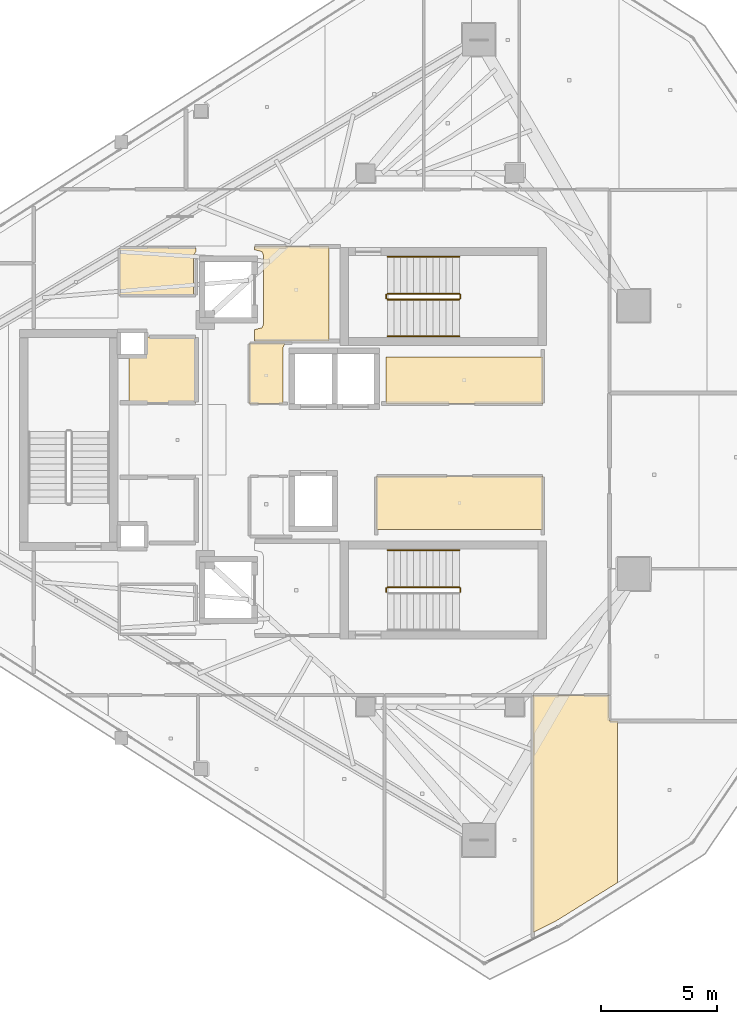
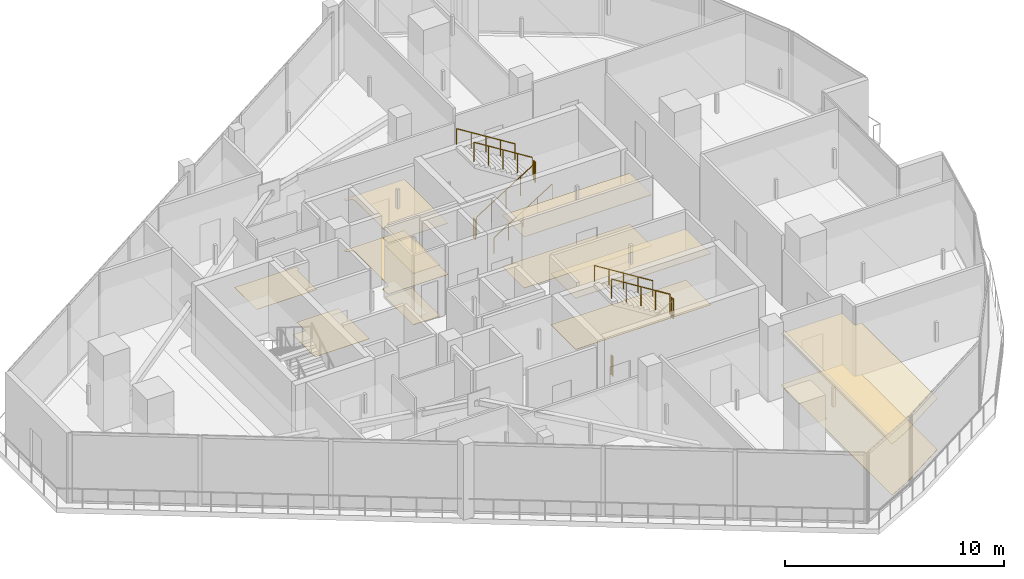
# One storey, part 29 of 30: 12 coverings, 10 railings.
"""IFC4 building model written with IfcOpenShell, lengths in metres."""

from ifc_helpers import new_model, si_unit, direction, frame, origin, origin_2d, place, context, subcontext, project, spatial, polyline, circle, outline, extrude, material, layer, layer_set, type_object, element, save


model = new_model("IFC4")

# Units and contexts
model_context = context("Model", 3, precision=1e-05, world=origin(), true_north=direction((0.0, 1.0)))
body_context = subcontext(model_context, "Body", "Model", "MODEL_VIEW")
ifc_project = project(units=[si_unit("LENGTHUNIT", "METRE"), si_unit("AREAUNIT", "SQUARE_METRE"), si_unit("VOLUMEUNIT", "CUBIC_METRE"), si_unit("PLANEANGLEUNIT", "RADIAN"), si_unit("MASSUNIT", "GRAM", prefix="KILO")], contexts=[model_context])

# Site, building, storey
site_placement = place(None, origin())
site = spatial("IfcSite", under=ifc_project, at=site_placement, CompositionType="ELEMENT")
building_placement = place(site_placement, origin())
building = spatial("IfcBuilding", under=site, at=building_placement, Name="Qorvath Tower", CompositionType="ELEMENT")
storey_placement = place(building_placement, frame((0.0, 0.0, 301.800048828125)))
storey = spatial("IfcBuildingStorey", under=building, at=storey_placement, Name="L70", CompositionType="ELEMENT", Elevation=301.800048828125)

# Coverings
ifc_material_1 = material(Name="Acoustic mineral fibre ceiling tile", Category="gypsum")
ifc_layer_1 = layer(ifc_material_1, 0.030029296875)
ifc_layer_set_1 = layer_set([ifc_layer_1], Name="COV-CEIL")
covering_type_1 = type_object("IfcCoveringType", Name="COV-CEIL", PredefinedType="CEILING", material=ifc_layer_set_1)
covering_1_placement = place(storey_placement, frame((0.0, 0.0, 2.849853515625)))
element("IfcCovering", 1, at=covering_1_placement, inside=storey, type_object=covering_type_1, Name="L70 Suspended Acoustic Ceiling 001", PredefinedType="CEILING", context=body_context, shape_type="SweptSolid", body=[
    extrude(outline(polyline([(-25.18994140625, 4.2548828125), (-25.18994140625, 8.294921875), (-28.375, 8.294921875), (-28.375, 8.159912109375), (-28.063232421875, 8.086669921875), (-27.989990234375, 7.909912109375), (-27.989990234375, 4.989990234375), (-28.063232421875, 4.813232421875), (-28.375, 4.739990234375), (-28.375, 4.2548828125), (-25.18994140625, 4.2548828125)])), origin(), (0.0, 0.0, 1.0), 0.030029296875),
])
covering_2_placement = place(storey_placement, frame((0.0, 0.0, 2.849853515625)))
element("IfcCovering", 2, at=covering_2_placement, inside=storey, type_object=covering_type_1, Name="L70 Suspended Acoustic Ceiling 003", PredefinedType="CEILING", context=body_context, shape_type="SweptSolid", body=[
    extrude(outline(polyline([(-16.0048828125, 3.56005859375), (-22.739990234375, 3.56005859375), (-22.739990234375, 1.56494140625), (-16.0048828125, 1.56494140625), (-16.0048828125, 3.56005859375)])), origin(), (0.0, 0.0, 1.0), 0.030029296875),
])
covering_3_placement = place(storey_placement, frame((0.0, 0.0, 2.849853515625)))
element("IfcCovering", 3, at=covering_3_placement, inside=storey, type_object=covering_type_1, Name="L70 Suspended Acoustic Ceiling 004", PredefinedType="CEILING", context=body_context, shape_type="SweptSolid", body=[
    extrude(outline(polyline([(-23.14501953125, -3.85009765625), (-16.0048828125, -3.85009765625), (-16.0048828125, -1.56494140625), (-23.14501953125, -1.56494140625), (-23.14501953125, -3.85009765625)])), origin(), (0.0, 0.0, 1.0), 0.030029296875),
])
covering_4_placement = place(storey_placement, frame((0.0, 0.0, 2.849853515625)))
element("IfcCovering", 4, at=covering_4_placement, inside=storey, type_object=covering_type_1, Name="L70 Suspended Acoustic Ceiling 005", PredefinedType="CEILING", context=body_context, shape_type="SweptSolid", body=[
    extrude(outline(polyline([(-27.159912109375, 1.56494140625), (-27.159912109375, 3.9599609375), (-27.06689453125, 4.14501953125), (-28.594970703125, 4.14501953125), (-28.594970703125, 1.56494140625), (-27.159912109375, 1.56494140625)])), origin(), (0.0, 0.0, 1.0), 0.030029296875),
])
covering_5_placement = place(storey_placement, frame((0.0, 0.0, 2.849853515625)))
element("IfcCovering", 5, at=covering_5_placement, inside=storey, type_object=covering_type_1, Name="L70 Suspended Acoustic Ceiling 026", PredefinedType="CEILING", context=body_context, shape_type="SweptSolid", body=[
    extrude(outline(polyline([(-13.155029296875, -10.962890625), (-16.420654296875, -10.962890625), (-16.421142578125, -21.145263671875), (-15.423095703125, -20.646240234375), (-12.804443359375, -19.01416015625), (-12.804443359375, -12.07421875), (-13.14990234375, -12.07373046875), (-13.155029296875, -10.962890625)])), origin(), (0.0, 0.0, 1.0), 0.030029296875),
])
ifc_material_2 = material(Name="Low-VOC modular carpet tile", Category="textile")
ifc_layer_2 = layer(ifc_material_2, 0.014892578125)
ifc_layer_set_2 = layer_set([ifc_layer_2], Name="COV-FLOOR-CPT")
covering_type_2 = type_object("IfcCoveringType", Name="COV-FLOOR-CPT", PredefinedType="FLOORING", material=ifc_layer_set_2)
covering_6_placement = place(storey_placement, origin())
element("IfcCovering", 6, at=covering_6_placement, inside=storey, type_object=covering_type_2, Name="L70 Floor Finish 003", PredefinedType="FLOORING", context=body_context, shape_type="SweptSolid", body=[
    extrude(outline(polyline([(-16.0048828125, 3.56005859375), (-22.739990234375, 3.56005859375), (-22.739990234375, 1.56494140625), (-16.0048828125, 1.56494140625), (-16.0048828125, 3.56005859375)])), origin(), (0.0, 0.0, 1.0), 0.014892578125),
])
covering_7_placement = place(storey_placement, origin())
element("IfcCovering", 7, at=covering_7_placement, inside=storey, type_object=covering_type_2, Name="L70 Floor Finish 004", PredefinedType="FLOORING", context=body_context, shape_type="SweptSolid", body=[
    extrude(outline(polyline([(-23.14501953125, -3.85009765625), (-16.0048828125, -3.85009765625), (-16.0048828125, -1.56494140625), (-23.14501953125, -1.56494140625), (-23.14501953125, -3.85009765625)])), origin(), (0.0, 0.0, 1.0), 0.014892578125),
])
covering_8_placement = place(storey_placement, origin())
element("IfcCovering", 8, at=covering_8_placement, inside=storey, type_object=covering_type_2, Name="L70 Floor Finish 005", PredefinedType="FLOORING", context=body_context, shape_type="SweptSolid", body=[
    extrude(outline(polyline([(-27.159912109375, 1.56494140625), (-27.159912109375, 3.9599609375), (-27.06689453125, 4.14501953125), (-28.594970703125, 4.14501953125), (-28.594970703125, 1.56494140625), (-27.159912109375, 1.56494140625)])), origin(), (0.0, 0.0, 1.0), 0.014892578125),
])
covering_9_placement = place(storey_placement, origin())
element("IfcCovering", 9, at=covering_9_placement, inside=storey, type_object=covering_type_2, Name="L70 Floor Finish 008", PredefinedType="FLOORING", context=body_context, shape_type="SweptSolid", body=[
    extrude(outline(polyline([(-33.760009765625, 3.636962890625), (-33.760009765625, 1.60498046875), (-30.885009765625, 1.60498046875), (-30.885009765625, 4.4150390625), (-33.0869140625, 4.4150390625), (-33.092041015625, 3.636962890625), (-33.760009765625, 3.636962890625)])), origin(), (0.0, 0.0, 1.0), 0.014892578125),
])
covering_10_placement = place(storey_placement, origin())
element("IfcCovering", 10, at=covering_10_placement, inside=storey, type_object=covering_type_2, Name="L70 Floor Finish 026", PredefinedType="FLOORING", context=body_context, shape_type="SweptSolid", body=[
    extrude(outline(polyline([(-13.155029296875, -10.962890625), (-16.420654296875, -10.962890625), (-16.421142578125, -21.145263671875), (-15.423095703125, -20.646240234375), (-12.804443359375, -19.01416015625), (-12.804443359375, -12.07421875), (-13.14990234375, -12.07373046875), (-13.155029296875, -10.962890625)])), origin(), (0.0, 0.0, 1.0), 0.014892578125),
])
ifc_material_3 = material(Name="Polished epoxy terrazzo flooring", Category="concrete")
ifc_layer_3 = layer(ifc_material_3, 0.02001953125)
ifc_layer_set_3 = layer_set([ifc_layer_3], Name="COV-FLOOR-TRZ")
covering_type_3 = type_object("IfcCoveringType", Name="COV-FLOOR-TRZ", PredefinedType="FLOORING", material=ifc_layer_set_3)
covering_11_placement = place(storey_placement, origin())
element("IfcCovering", 11, at=covering_11_placement, inside=storey, type_object=covering_type_3, Name="L70 Floor Finish 001", PredefinedType="FLOORING", context=body_context, shape_type="SweptSolid", body=[
    extrude(outline(polyline([(-25.18994140625, 4.2548828125), (-25.18994140625, 8.294921875), (-28.375, 8.294921875), (-28.375, 8.159912109375), (-28.063232421875, 8.086669921875), (-27.989990234375, 7.909912109375), (-27.989990234375, 4.989990234375), (-28.063232421875, 4.813232421875), (-28.375, 4.739990234375), (-28.375, 4.2548828125), (-25.18994140625, 4.2548828125)])), origin(), (0.0, 0.0, 1.0), 0.014892578125),
])
covering_12_placement = place(storey_placement, origin())
element("IfcCovering", 12, at=covering_12_placement, inside=storey, type_object=covering_type_3, Name="L70 Floor Finish 007", PredefinedType="FLOORING", context=body_context, shape_type="SweptSolid", body=[
    extrude(outline(polyline([(-31.010009765625, 6.205078125), (-31.010009765625, 7.909912109375), (-30.885009765625, 8.108154296875), (-30.885009765625, 8.2451171875), (-34.175048828125, 8.2451171875), (-34.175048828125, 6.205078125), (-31.010009765625, 6.205078125)])), origin(), (0.0, 0.0, 1.0), 0.014892578125),
])

# Railings
ifc_material_4 = material(Name="Painted galvanised steel", Category="steel")
railing_type_1 = type_object("IfcRailingType", Name="RL-STR-GRD", PredefinedType="GUARDRAIL", material=ifc_material_4)
railing_1_placement = place(storey_placement, frame((-22.669921875, 6.030029296875, 0.175048828125)))
element("IfcRailing", 13, at=railing_1_placement, inside=storey, type_object=railing_type_1, Name="L70 TS1 stair guard 1", PredefinedType="GUARDRAIL", context=body_context, shape_type="SweptSolid", body=[
    extrude(circle(Radius=0.02392578125, at=origin_2d()), frame((0.0, 0.0, 1.076171875), z_axis=(0.848009633417, 0.0, 0.529980812513), x_axis=(0.0, 1.0, 0.0)), (0.0, 0.0, 1.0), 3.6318359375),
    extrude(circle(Radius=0.02099609375, at=origin_2d()), origin(), (0.0, 0.0, 1.0), 1.052001953125),
    extrude(circle(Radius=0.02099609375, at=origin_2d()), frame((0.77001953125, 0.0, 0.481201171875)), (0.0, 0.0, 1.0), 1.052001953125),
    extrude(circle(Radius=0.02099609375, at=origin_2d()), frame((1.5400390625, 0.0, 0.96240234375)), (0.0, 0.0, 1.0), 1.052001953125),
    extrude(circle(Radius=0.02099609375, at=origin_2d()), frame((2.309814453125, 0.0, 1.443603515625)), (0.0, 0.0, 1.0), 1.052001953125),
    extrude(circle(Radius=0.02099609375, at=origin_2d()), frame((3.079833984375, 0.0, 1.9248046875)), (0.0, 0.0, 1.0), 1.052001953125),
])
railing_2_placement = place(storey_placement, frame((-19.5400390625, 6.080078125, 2.099853515625)))
element("IfcRailing", 14, at=railing_2_placement, inside=storey, type_object=railing_type_1, Name="L70 TS1 stair guard 2", PredefinedType="GUARDRAIL", context=body_context, shape_type="SweptSolid", body=[
    extrude(circle(Radius=0.02392578125, at=origin_2d()), frame((0.0, 0.0, 1.076171875), z_axis=(0.0, 1.0, 0.0), x_axis=(-1.0, 0.0, 0.0)), (0.0, 0.0, 1.0), 0.14990234375),
    extrude(circle(Radius=0.02099609375, at=origin_2d()), origin(), (0.0, 0.0, 1.0), 1.052001953125),
    extrude(circle(Radius=0.02099609375, at=origin_2d()), frame((0.0, 0.14990234375, 0.0)), (0.0, 0.0, 1.0), 1.052001953125),
])
railing_3_placement = place(storey_placement, frame((-19.590087890625, 6.280029296875, 2.27490234375)))
element("IfcRailing", 15, at=railing_3_placement, inside=storey, type_object=railing_type_1, Name="L70 TS1 stair guard 3", PredefinedType="GUARDRAIL", context=body_context, shape_type="SweptSolid", body=[
    extrude(circle(Radius=0.02392578125, at=origin_2d()), frame((0.0, 0.0, 1.076171875), z_axis=(-0.847979421464, 0.0, 0.530029150871), x_axis=(0.0, -1.0, 0.0)), (0.0, 0.0, 1.0), 3.632080078125),
    extrude(circle(Radius=0.02099609375, at=origin_2d()), origin(), (0.0, 0.0, 1.0), 1.052001953125),
    extrude(circle(Radius=0.02099609375, at=origin_2d()), frame((-0.77001953125, 0.0, 0.481201171875)), (0.0, 0.0, 1.0), 1.052001953125),
    extrude(circle(Radius=0.02099609375, at=origin_2d()), frame((-1.5400390625, 0.0, 0.96240234375)), (0.0, 0.0, 1.0), 1.052001953125),
    extrude(circle(Radius=0.02099609375, at=origin_2d()), frame((-2.309814453125, 0.0, 1.44384765625)), (0.0, 0.0, 1.0), 1.052001953125),
    extrude(circle(Radius=0.02099609375, at=origin_2d()), frame((-3.079833984375, 0.0, 1.925048828125)), (0.0, 0.0, 1.0), 1.052001953125),
])
for number, where, name in (
    (16, (-22.719970703125, 6.080078125, 0.0), "L70 TS1 stair guard 4"),
    (17, (-19.5400390625, -6.52001953125, 2.099853515625), "L70 TS2 stair guard 2"),
):
    element("IfcRailing", number, at=place(storey_placement, frame(where)), inside=storey, type_object=railing_type_1, Name=name, PredefinedType="GUARDRAIL", context=body_context, shape_type="SweptSolid", body=[
        extrude(circle(Radius=0.02392578125, at=origin_2d()), frame((0.0, 0.0, 1.076171875), z_axis=(0.0, 1.0, 0.0), x_axis=(-1.0, 0.0, 0.0)), (0.0, 0.0, 1.0), 0.14990234375),
        extrude(circle(Radius=0.02099609375, at=origin_2d()), origin(), (0.0, 0.0, 1.0), 1.052001953125),
        extrude(circle(Radius=0.02099609375, at=origin_2d()), frame((0.0, 0.14990234375, 0.0)), (0.0, 0.0, 1.0), 1.052001953125),
    ])
railing_4_placement = place(storey_placement, frame((-19.590087890625, -6.320068359375, 2.27490234375)))
element("IfcRailing", 18, at=railing_4_placement, inside=storey, type_object=railing_type_1, Name="L70 TS2 stair guard 3", PredefinedType="GUARDRAIL", context=body_context, shape_type="SweptSolid", body=[
    extrude(circle(Radius=0.02392578125, at=origin_2d()), frame((0.0, 0.0, 1.076171875), z_axis=(-0.847979421464, 0.0, 0.530029150871), x_axis=(0.0, -1.0, 0.0)), (0.0, 0.0, 1.0), 3.632080078125),
    extrude(circle(Radius=0.02099609375, at=origin_2d()), origin(), (0.0, 0.0, 1.0), 1.052001953125),
    extrude(circle(Radius=0.02099609375, at=origin_2d()), frame((-0.77001953125, 0.0, 0.481201171875)), (0.0, 0.0, 1.0), 1.052001953125),
    extrude(circle(Radius=0.02099609375, at=origin_2d()), frame((-1.5400390625, 0.0, 0.96240234375)), (0.0, 0.0, 1.0), 1.052001953125),
    extrude(circle(Radius=0.02099609375, at=origin_2d()), frame((-2.309814453125, 0.0, 1.44384765625)), (0.0, 0.0, 1.0), 1.052001953125),
    extrude(circle(Radius=0.02099609375, at=origin_2d()), frame((-3.079833984375, 0.0, 1.925048828125)), (0.0, 0.0, 1.0), 1.052001953125),
])
railing_5_placement = place(storey_placement, frame((-22.719970703125, -6.52001953125, 0.0)))
element("IfcRailing", 19, at=railing_5_placement, inside=storey, type_object=railing_type_1, Name="L70 TS2 stair guard 4", PredefinedType="GUARDRAIL", context=body_context, shape_type="SweptSolid", body=[
    extrude(circle(Radius=0.02392578125, at=origin_2d()), frame((0.0, 0.0, 1.076171875), z_axis=(0.0, 1.0, 0.0), x_axis=(-1.0, 0.0, 0.0)), (0.0, 0.0, 1.0), 0.14990234375),
    extrude(circle(Radius=0.02099609375, at=origin_2d()), origin(), (0.0, 0.0, 1.0), 1.052001953125),
    extrude(circle(Radius=0.02099609375, at=origin_2d()), frame((0.0, 0.14990234375, 0.0)), (0.0, 0.0, 1.0), 1.052001953125),
])
ifc_material_5 = material(Name="Brushed stainless steel AISI 304", Category="steel")
railing_type_2 = type_object("IfcRailingType", Name="RL-STR-HND", PredefinedType="HANDRAIL", material=ifc_material_5)
railing_6_placement = place(storey_placement, frame((-22.669921875, 4.449951171875, 0.175048828125)))
element("IfcRailing", 20, at=railing_6_placement, inside=storey, type_object=railing_type_2, Name="L70 TS1 stair handrail 1", PredefinedType="HANDRAIL", context=body_context, shape_type="SweptSolid", body=[
    extrude(circle(Radius=0.02392578125, at=origin_2d()), frame((0.0, 0.0, 0.8759765625), z_axis=(0.848009633417, 0.0, 0.529980812513), x_axis=(0.0, 1.0, 0.0)), (0.0, 0.0, 1.0), 3.6318359375),
    extrude(circle(Radius=0.02099609375, at=origin_2d()), origin(), (0.0, 0.0, 1.0), 0.851806640625),
    extrude(circle(Radius=0.02099609375, at=origin_2d()), frame((0.77001953125, 0.0, 0.481201171875)), (0.0, 0.0, 1.0), 0.851806640625),
    extrude(circle(Radius=0.02099609375, at=origin_2d()), frame((1.5400390625, 0.0, 0.96240234375)), (0.0, 0.0, 1.0), 0.851806640625),
    extrude(circle(Radius=0.02099609375, at=origin_2d()), frame((2.309814453125, 0.0, 1.443603515625)), (0.0, 0.0, 1.0), 0.851806640625),
    extrude(circle(Radius=0.02099609375, at=origin_2d()), frame((3.079833984375, 0.0, 1.9248046875)), (0.0, 0.0, 1.0), 0.851806640625),
])
for number, where, name in (
    (21, (-19.590087890625, 7.860107421875, 2.27490234375), "L70 TS1 stair handrail 2"),
    (22, (-19.590087890625, -4.739990234375, 2.27490234375), "L70 TS2 stair handrail 2"),
):
    element("IfcRailing", number, at=place(storey_placement, frame(where)), inside=storey, type_object=railing_type_2, Name=name, PredefinedType="HANDRAIL", context=body_context, shape_type="SweptSolid", body=[
        extrude(circle(Radius=0.02392578125, at=origin_2d()), frame((0.0, 0.0, 0.8759765625), z_axis=(-0.847979421464, 0.0, 0.530029150871), x_axis=(0.0, -1.0, 0.0)), (0.0, 0.0, 1.0), 3.632080078125),
        extrude(circle(Radius=0.02099609375, at=origin_2d()), origin(), (0.0, 0.0, 1.0), 0.851806640625),
        extrude(circle(Radius=0.02099609375, at=origin_2d()), frame((-0.77001953125, 0.0, 0.481201171875)), (0.0, 0.0, 1.0), 0.851806640625),
        extrude(circle(Radius=0.02099609375, at=origin_2d()), frame((-1.5400390625, 0.0, 0.96240234375)), (0.0, 0.0, 1.0), 0.851806640625),
        extrude(circle(Radius=0.02099609375, at=origin_2d()), frame((-2.309814453125, 0.0, 1.44384765625)), (0.0, 0.0, 1.0), 0.851806640625),
        extrude(circle(Radius=0.02099609375, at=origin_2d()), frame((-3.079833984375, 0.0, 1.925048828125)), (0.0, 0.0, 1.0), 0.851806640625),
    ])

save(model, "model.ifc")
